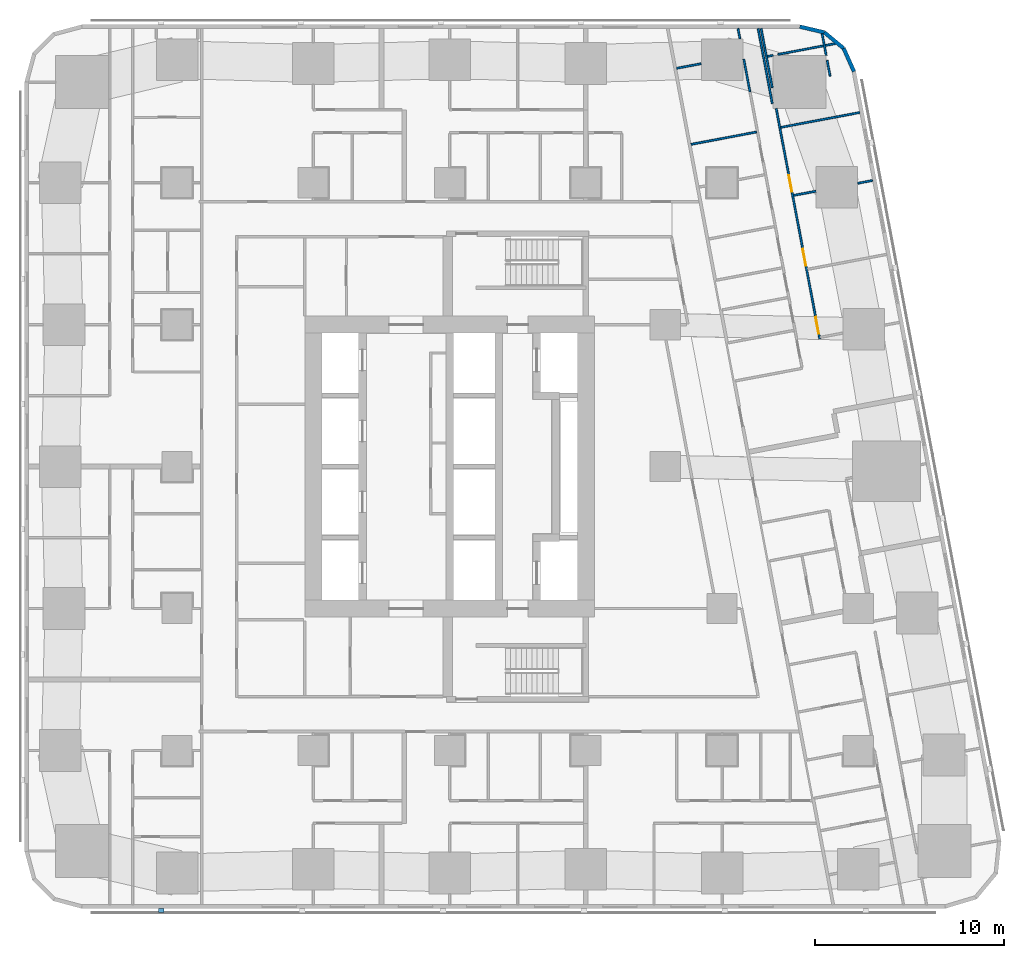
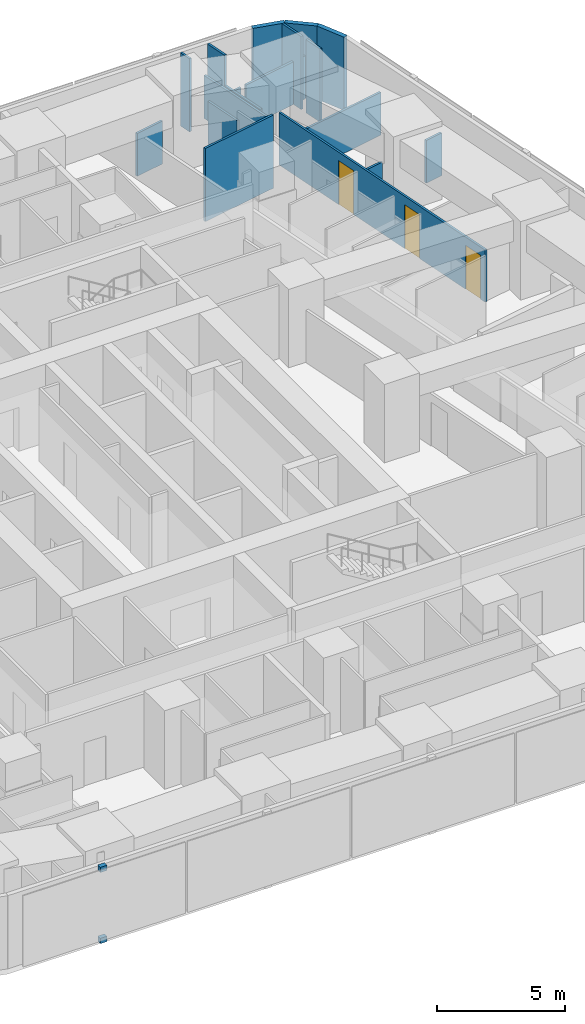
# One storey, part 12 of 17: 18 walls, 3 doors, 2 discrete accessories, 3 openings.
"""IFC4 building model written with IfcOpenShell, lengths in metres."""

import ifcopenshell
import ifcopenshell.guid

model = None  # the IFC model being written
_history = None  # IfcOwnerHistory: only IFC2X3 demands one
_inside = {}  # id of a spatial element -> (the spatial element, [elements in it])
_under = {}  # id of a project, library or spatial element -> (it, [spatial elements below it])
_declared = {}  # id of a project -> (the project, [libraries it declares])
_typed = {}  # id of a type object -> (the type object, [elements of that type])
_made_of = {}  # id of a material, layer set ... -> (it, [elements and type objects made of it])


def new_model(schema):
    """Start an empty IFC model of exactly this schema.

    Asked for "IFC4X3", IfcOpenShell would pick the latest addendum, in which some entities
    have other attributes; the version numbers below select the first issue.
    IFC2X3 requires an IfcOwnerHistory on every rooted entity: one is made here for all.
    """
    global model, _history
    if schema == "IFC4X3":
        model = ifcopenshell.file(schema_version=(4, 3, 0, 0))
    else:
        model = ifcopenshell.file(schema=schema)
    _inside.clear()
    _under.clear()
    _declared.clear()
    _typed.clear()
    _made_of.clear()
    _history = None
    if model.schema == "IFC2X3":
        org = make("IfcOrganization", Name="unknown")
        user = make(
            "IfcPersonAndOrganization",
            ThePerson=make("IfcPerson", FamilyName="unknown"),
            TheOrganization=org,
        )
        app = make(
            "IfcApplication",
            ApplicationDeveloper=org,
            Version="unknown",
            ApplicationFullName="unknown",
            ApplicationIdentifier="unknown",
        )
        _history = make(
            "IfcOwnerHistory",
            OwningUser=user,
            OwningApplication=app,
            ChangeAction="ADDED",
            CreationDate=0,
        )
    return model


def make(cls, **values):
    """One entity of the class cls with the attributes given. An attribute that is None is left unset."""
    return model.create_entity(
        cls, **{name: value for name, value in values.items() if value is not None}
    )


def rooted(cls, **values):
    """An entity with a GlobalId (a new one), such as an element, a storey or a relation."""
    return make(cls, GlobalId=ifcopenshell.guid.new(), OwnerHistory=_history, **values)


def si_unit(unit_type, name, prefix=None):
    """IfcSIUnit, for example si_unit("LENGTHUNIT", "METRE", prefix="MILLI")."""
    return make("IfcSIUnit", UnitType=unit_type, Prefix=prefix, Name=name)


def assignment(units):
    """IfcUnitAssignment: the units of a project."""
    return None if units is None else make("IfcUnitAssignment", Units=units)


def point(xyz):
    """IfcCartesianPoint."""
    return None if xyz is None else make("IfcCartesianPoint", Coordinates=xyz)


def direction(xyz):
    """IfcDirection."""
    return None if xyz is None else make("IfcDirection", DirectionRatios=xyz)


def frame(location, z_axis=None, x_axis=None):
    """IfcAxis2Placement3D, a coordinate frame: its origin and axes. An axis left out is left unset."""
    return make(
        "IfcAxis2Placement3D",
        Location=point(location),
        Axis=direction(z_axis),
        RefDirection=direction(x_axis),
    )


def frame_2d(location, x_axis=None):
    """IfcAxis2Placement2D, a coordinate frame in the plane: its origin and x axis."""
    return make(
        "IfcAxis2Placement2D", Location=point(location), RefDirection=direction(x_axis)
    )


def origin():
    """The frame at (0, 0, 0) with its axes left unset."""
    return frame((0.0, 0.0, 0.0))


def origin_2d():
    """The frame at (0, 0) in the plane with its x axis left unset."""
    return frame_2d((0.0, 0.0))


def place(relative_to, where):
    """IfcLocalPlacement: puts the frame where relative to a parent placement (None: the world)."""
    return make(
        "IfcLocalPlacement", PlacementRelTo=relative_to, RelativePlacement=where
    )


def context(
    kind, dimensions, precision=None, world=None, true_north=None, identifier=None
):
    """IfcGeometricRepresentationContext, for example the 3D "Model" context."""
    return make(
        "IfcGeometricRepresentationContext",
        ContextIdentifier=identifier,
        ContextType=kind,
        CoordinateSpaceDimension=dimensions,
        Precision=precision,
        WorldCoordinateSystem=world,
        TrueNorth=true_north,
    )


def subcontext(parent, identifier, kind, view, scale=None):
    """IfcGeometricRepresentationSubContext, for example "Body" below "Model"."""
    return make(
        "IfcGeometricRepresentationSubContext",
        ContextIdentifier=identifier,
        ContextType=kind,
        ParentContext=parent,
        TargetScale=scale,
        TargetView=view,
    )


def project(units=None, contexts=None):
    """IfcProject with its units and contexts."""
    return rooted(
        "IfcProject",
        Name="project",
        RepresentationContexts=contexts,
        UnitsInContext=assignment(units),
    )


def spatial(cls, under=None, at=None, **own):
    """A site, building, storey or space (cls), placed at a placement, below another one or the project."""
    s = rooted(cls, ObjectPlacement=at, **own)
    if under is not None:
        _under.setdefault(under.id(), (under, []))[1].append(s)
    return s


def profile(cls, at=None, kind="AREA", **sizes):
    """A parametric profile (cls). Its sizes go by their IFC names, for example OverallWidth=200.0."""
    return make(cls, ProfileType=kind, Position=at, **sizes)


def rectangle(**sizes):
    """IfcRectangleProfileDef."""
    return profile("IfcRectangleProfileDef", **sizes)


def extrude(swept, where, along, depth):
    """IfcExtrudedAreaSolid: the profile swept, set in the frame where, extruded along a direction by depth."""
    return make(
        "IfcExtrudedAreaSolid",
        SweptArea=swept,
        Position=where,
        ExtrudedDirection=direction(along),
        Depth=depth,
    )


def shape(context_of_items, identifier, shape_type, items):
    """IfcShapeRepresentation: the items that make up one representation, for example the "Body"."""
    return make(
        "IfcShapeRepresentation",
        ContextOfItems=context_of_items,
        RepresentationIdentifier=identifier,
        RepresentationType=shape_type,
        Items=items,
    )


def material(Name=None, Category=None):
    """IfcMaterial."""
    return make("IfcMaterial", Name=Name, Category=Category)


def layer(
    of_material, thickness, ventilated=None, Name=None, Category=None, Priority=None
):
    """IfcMaterialLayer: one layer of a wall or slab, of a material (None: an air gap)."""
    return make(
        "IfcMaterialLayer",
        Material=of_material,
        LayerThickness=thickness,
        IsVentilated=ventilated,
        Name=Name,
        Category=Category,
        Priority=Priority,
    )


def layer_set(layers, Name=None):
    """IfcMaterialLayerSet."""
    return make("IfcMaterialLayerSet", MaterialLayers=layers, LayerSetName=Name)


def made_of(thing, what):
    """Note that an element or type object is made of a material, layer set ...; save() writes the relation."""
    if what is not None:
        _made_of.setdefault(what.id(), (what, []))[1].append(thing)
    return thing


def type_object(cls, material=None, **own):
    """A type object (cls), such as IfcWallType, which elements share."""
    return made_of(rooted(cls, **own), material)


def element(
    cls,
    number,
    at=None,
    inside=None,
    cuts=None,
    type_object=None,
    material=None,
    context=None,
    identifier="Body",
    shape_type=None,
    held_by="IfcProductDefinitionShape",
    body=None,
    shapes=None,
    **own,
):
    """One element of the class cls, such as IfcWall. Its Tag is "e" and its number.

    at: its placement. inside: the storey or other place that contains it. cuts: it is an
    opening in that element (IfcRelVoidsElement). A single representation is given by context,
    identifier, shape_type and body (its items); several are given by shapes. held_by: the class
    of the entity that holds the representations. save() writes the other relations.
    """
    e = rooted(cls, Tag="e%d" % number, ObjectPlacement=at, **own)
    if body is not None:
        shapes = [shape(context, identifier, shape_type, body)]
    if shapes is not None:
        e.Representation = make(held_by, Representations=shapes)
    if inside is not None:
        _inside.setdefault(inside.id(), (inside, []))[1].append(e)
    if cuts is not None:
        rooted(
            "IfcRelVoidsElement", RelatingBuildingElement=cuts, RelatedOpeningElement=e
        )
    if type_object is not None:
        _typed.setdefault(type_object.id(), (type_object, []))[1].append(e)
    return made_of(e, material)


def fill(opening, filler):
    """IfcRelFillsElement: the door or window that sits in an opening."""
    return rooted(
        "IfcRelFillsElement",
        RelatingOpeningElement=opening,
        RelatedBuildingElement=filler,
    )


def aggregate(whole, parts):
    """IfcRelAggregates: a whole, such as a stair, and the parts it consists of."""
    return rooted("IfcRelAggregates", RelatingObject=whole, RelatedObjects=parts)


def save(model, path):
    """Write the relations noted so far, then the file.

    IfcRelAggregates (storeys below a building ...), IfcRelContainedInSpatialStructure (elements
    in a storey), IfcRelDefinesByType, IfcRelAssociatesMaterial and IfcRelDeclares: one each for
    every whole, place, type object, material and project.
    """
    for whole, parts in _under.values():
        aggregate(whole, parts)
    for where, things in _inside.values():
        rooted(
            "IfcRelContainedInSpatialStructure",
            RelatedElements=things,
            RelatingStructure=where,
        )
    for kind, things in _typed.values():
        rooted("IfcRelDefinesByType", RelatedObjects=things, RelatingType=kind)
    for what, things in _made_of.values():
        rooted("IfcRelAssociatesMaterial", RelatedObjects=things, RelatingMaterial=what)
    for by, libraries in _declared.values():
        rooted("IfcRelDeclares", RelatingContext=by, RelatedDefinitions=libraries)
    model.write(path)


model = new_model("IFC4")

# Units and contexts
model_context = context("Model", 3, precision=1e-05, world=origin(), true_north=direction((0.0, 1.0)))
body_context = subcontext(model_context, "Body", "Model", "MODEL_VIEW")
ifc_project = project(units=[si_unit("LENGTHUNIT", "METRE"), si_unit("AREAUNIT", "SQUARE_METRE"), si_unit("VOLUMEUNIT", "CUBIC_METRE"), si_unit("PLANEANGLEUNIT", "RADIAN"), si_unit("MASSUNIT", "GRAM", prefix="KILO")], contexts=[model_context])

# Site, building, storey
site_placement = place(None, origin())
site = spatial("IfcSite", under=ifc_project, at=site_placement, CompositionType="ELEMENT")
building_placement = place(site_placement, origin())
building = spatial("IfcBuilding", under=site, at=building_placement, Name="Sheger Commons Tower", CompositionType="ELEMENT")
storey_placement = place(building_placement, frame((0.0, 0.0, 119.14990234375)))
storey = spatial("IfcBuildingStorey", under=building, at=storey_placement, Name="L30", CompositionType="ELEMENT", Elevation=119.14990234375)

# Walls
ifc_material_1 = material(Name="Rendered concrete block masonry, dark grey", Category="masonry")
ifc_layer_1 = layer(ifc_material_1, 0.199951171875)
ifc_layer_set_1 = layer_set([ifc_layer_1], Name="FACADE WALL 200")
wall_type_1 = type_object("IfcWallType", Name="FACADE WALL 200", PredefinedType="SOLIDWALL", material=ifc_layer_set_1)
wall_1_placement = place(storey_placement, frame((42.969970703125, 43.376953125, 0.0), z_axis=(0.0, 0.0, 1.0), x_axis=(-0.406002956633, 0.913871762998, 0.0)))
element("IfcWall", 1, at=wall_1_placement, inside=storey, type_object=wall_type_1, Name="Facade wall L30", PredefinedType="SOLIDWALL", context=body_context, shape_type="SweptSolid", body=[
    extrude(rectangle(XDim=1.33740234375, YDim=0.199951171875, at=frame_2d((0.668701171875, 0.0))), origin(), (0.0, 0.0, 1.0), 3.5),
])
wall_2_placement = place(storey_placement, frame((42.427001953125, 44.59912109375, 0.0), z_axis=(0.0, 0.0, 1.0), x_axis=(-0.770091412544, 0.637933551655, 0.0)))
element("IfcWall", 2, at=wall_2_placement, inside=storey, type_object=wall_type_1, Name="Facade wall L30", PredefinedType="SOLIDWALL", context=body_context, shape_type="SweptSolid", body=[
    extrude(rectangle(XDim=1.324462890625, YDim=0.199951171875, at=frame_2d((0.662109375, 0.0))), origin(), (0.0, 0.0, 1.0), 3.5),
])
wall_3_placement = place(storey_placement, frame((41.406982421875, 45.444091796875, 0.0), z_axis=(0.0, 0.0, 1.0), x_axis=(-0.973453091607, 0.228886606077, 0.0)))
element("IfcWall", 3, at=wall_3_placement, inside=storey, type_object=wall_type_1, Name="Facade wall L30", PredefinedType="SOLIDWALL", context=body_context, shape_type="SweptSolid", body=[
    extrude(rectangle(XDim=1.33642578125, YDim=0.199951171875, at=frame_2d((0.668212890625, 0.0))), origin(), (0.0, 0.0, 1.0), 3.5),
])
ifc_material_2 = material(Name="Gypsum board on steel studs", Category="steel")
ifc_layer_2 = layer(ifc_material_2, 0.10009765625)
ifc_layer_set_2 = layer_set([ifc_layer_2], Name="PARTITION 100")
wall_type_2 = type_object("IfcWallType", Name="PARTITION 100", PredefinedType="PARTITIONING", material=ifc_layer_set_2)
wall_4_placement = place(storey_placement, frame((38.654052734375, 41.68603515625, 0.0), z_axis=(0.0, 0.0, 1.0), x_axis=(-0.185676896978, 0.982610853761, 0.0)))
element("IfcWall", 4, at=wall_4_placement, inside=storey, type_object=wall_type_2, Name="Partition L30", PredefinedType="PARTITIONING", context=body_context, shape_type="SweptSolid", body=[
    extrude(rectangle(XDim=4.033935546875, YDim=0.10009765625, at=frame_2d((2.01708984375, 0.0))), origin(), (0.0, 0.0, 1.0), 2.050048828125),
])
wall_5_placement = place(storey_placement, frame((41.287109375, 45.3701171875, 0.0), z_axis=(0.0, 0.0, 1.0), x_axis=(0.185121628323, -0.982715616405, 0.0)))
element("IfcWall", 5, at=wall_5_placement, inside=storey, type_object=wall_type_2, Name="Partition L30", PredefinedType="PARTITIONING", context=body_context, shape_type="SweptSolid", body=[
    extrude(rectangle(XDim=1.14990234375, YDim=0.10009765625, at=frame_2d((0.574951171875, 0.0))), origin(), (0.0, 0.0, 1.0), 3.5),
])
wall_6_placement = place(storey_placement, frame((41.551025390625, 43.968994140625, 0.0), z_axis=(0.0, 0.0, 1.0), x_axis=(0.185884171512, -0.982571663942, 0.0)))
element("IfcWall", 6, at=wall_6_placement, inside=storey, type_object=wall_type_2, Name="Partition L30", PredefinedType="PARTITIONING", context=body_context, shape_type="SweptSolid", body=[
    extrude(rectangle(XDim=0.849853515625, YDim=0.10009765625, at=frame_2d((0.4248046875, 0.0))), origin(), (0.0, 0.0, 1.0), 3.5),
])
wall_7_placement = place(storey_placement, frame((38.06298828125, 45.64990234375, 0.0), z_axis=(0.0, 0.0, 1.0), x_axis=(0.185677287841, -0.982610779902, 0.0)))
element("IfcWall", 7, at=wall_7_placement, inside=storey, type_object=wall_type_2, Name="Partition L30", PredefinedType="PARTITIONING", context=body_context, shape_type="SweptSolid", body=[
    extrude(rectangle(XDim=1.0400390625, YDim=0.10009765625, at=frame_2d((0.52001953125, 0.0))), origin(), (0.0, 0.0, 1.0), 3.5),
])
wall_8_placement = place(storey_placement, frame((38.256103515625, 44.6279296875, 0.0), z_axis=(0.0, 0.0, 1.0), x_axis=(0.185757524649, -0.982595614704, 0.0)))
element("IfcWall", 8, at=wall_8_placement, inside=storey, type_object=wall_type_2, Name="Partition L30", PredefinedType="PARTITIONING", context=body_context, shape_type="SweptSolid", body=[
    extrude(rectangle(XDim=2.136962890625, YDim=0.10009765625, at=frame_2d((1.068359375, 0.0))), origin(), (0.0, 0.0, 1.0), 2.050048828125),
])

# Wall, openings, doors
wall_9_placement = place(storey_placement, frame((38.862060546875, 41.419921875, 0.0), z_axis=(0.0, 0.0, 1.0), x_axis=(0.185550092293, -0.982634806655, 0.0)))
wall_9 = element("IfcWall", 9, at=wall_9_placement, inside=storey, type_object=wall_type_2, Name="Partition L30", PredefinedType="PARTITIONING", context=body_context, shape_type="SweptSolid", body=[
    extrude(rectangle(XDim=12.384033203125, YDim=0.10009765625, at=frame_2d((6.19189453125, 0.0))), origin(), (0.0, 0.0, 1.0), 2.5),
])
opening_1_placement = place(wall_9_placement, frame((11.2119140625, 0.0, 0.0)))
opening_1 = element("IfcOpeningElement", 10, at=opening_1_placement, cuts=wall_9, Name="Opening D2", PredefinedType="OPENING", context=body_context, shape_type="SweptSolid", body=[
    extrude(rectangle(XDim=0.89990234375, YDim=2.10009765625, at=frame_2d((0.449951171875, 1.050048828125))), frame((0.0, 0.06005859375, 0.0), z_axis=(0.0, -1.0, 0.0), x_axis=(1.0, 0.0, 0.0)), (0.0, 0.0, 1.0), 0.1201171875),
])
opening_2_placement = place(wall_9_placement, frame((7.554931640625, 0.0, 0.0)))
opening_2 = element("IfcOpeningElement", 11, at=opening_2_placement, cuts=wall_9, Name="Opening D2", PredefinedType="OPENING", context=body_context, shape_type="SweptSolid", body=[
    extrude(rectangle(XDim=0.89990234375, YDim=2.10009765625, at=frame_2d((0.449951171875, 1.050048828125))), frame((0.0, 0.06005859375, 0.0), z_axis=(0.0, -1.0, 0.0), x_axis=(1.0, 0.0, 0.0)), (0.0, 0.0, 1.0), 0.1201171875),
])
opening_3_placement = place(wall_9_placement, frame((3.5791015625, 0.0, 0.0)))
opening_3 = element("IfcOpeningElement", 12, at=opening_3_placement, cuts=wall_9, Name="Opening D2", PredefinedType="OPENING", context=body_context, shape_type="SweptSolid", body=[
    extrude(rectangle(XDim=0.89990234375, YDim=2.10009765625, at=frame_2d((0.449951171875, 1.050048828125))), frame((0.0, 0.06005859375, 0.0), z_axis=(0.0, -1.0, 0.0), x_axis=(1.0, 0.0, 0.0)), (0.0, 0.0, 1.0), 0.1201171875),
])
ifc_material_3 = material(Name="Timber door set", Category="wood")
door_type = type_object("IfcDoorType", Name="INTERNAL DOOR 900x2100", OperationType="NOTDEFINED", PredefinedType="DOOR", material=ifc_material_3)
door_1_placement = place(opening_1_placement, origin())
door_1 = element("IfcDoor", 13, at=door_1_placement, inside=storey, type_object=door_type, Name="Main bedroom door", OperationType="SINGLE_SWING_RIGHT", OverallHeight=2.10009765625, OverallWidth=0.89990234375, PredefinedType="DOOR", context=body_context, shape_type="SweptSolid", body=[
    extrude(rectangle(XDim=0.89990234375, YDim=2.10009765625, at=frame_2d((0.449951171875, 1.050048828125))), frame((0.0, 0.02490234375, 0.0), z_axis=(0.0, -1.0, 0.0), x_axis=(1.0, 0.0, 0.0)), (0.0, 0.0, 1.0), 0.050048828125),
])
fill(opening_1, door_1)
door_2_placement = place(opening_2_placement, origin())
door_2 = element("IfcDoor", 14, at=door_2_placement, inside=storey, type_object=door_type, Name="Bedroom 2 door", OperationType="SINGLE_SWING_RIGHT", OverallHeight=2.10009765625, OverallWidth=0.89990234375, PredefinedType="DOOR", context=body_context, shape_type="SweptSolid", body=[
    extrude(rectangle(XDim=0.89990234375, YDim=2.10009765625, at=frame_2d((0.449951171875, 1.050048828125))), frame((0.0, 0.02490234375, 0.0), z_axis=(0.0, -1.0, 0.0), x_axis=(1.0, 0.0, 0.0)), (0.0, 0.0, 1.0), 0.050048828125),
])
fill(opening_2, door_2)
door_3_placement = place(opening_3_placement, origin())
door_3 = element("IfcDoor", 15, at=door_3_placement, inside=storey, type_object=door_type, Name="Bedroom 3 door", OperationType="SINGLE_SWING_RIGHT", OverallHeight=2.10009765625, OverallWidth=0.89990234375, PredefinedType="DOOR", context=body_context, shape_type="SweptSolid", body=[
    extrude(rectangle(XDim=0.89990234375, YDim=2.10009765625, at=frame_2d((0.449951171875, 1.050048828125))), frame((0.0, 0.02490234375, 0.0), z_axis=(0.0, -1.0, 0.0), x_axis=(1.0, 0.0, 0.0)), (0.0, 0.0, 1.0), 0.050048828125),
])
fill(opening_3, door_3)

# Walls
wall_10_placement = place(storey_placement, frame((36.842041015625, 45.64990234375, 0.0), z_axis=(0.0, 0.0, 1.0), x_axis=(0.185764109712, -0.98259436979, 0.0)))
element("IfcWall", 16, at=wall_10_placement, inside=storey, type_object=wall_type_2, Name="Partition L30", PredefinedType="PARTITIONING", context=body_context, shape_type="SweptSolid", body=[
    extrude(rectangle(XDim=0.54931640625, YDim=0.10009765625, at=frame_2d((0.274658203125, 0.0))), origin(), (0.0, 0.0, 1.0), 3.5),
])
wall_11_placement = place(storey_placement, frame((37.14892578125, 44.02294921875, 0.0), z_axis=(0.0, 0.0, 1.0), x_axis=(0.185741922314, -0.982598564163, 0.0)))
element("IfcWall", 17, at=wall_11_placement, inside=storey, type_object=wall_type_2, Name="Partition L30", PredefinedType="PARTITIONING", context=body_context, shape_type="SweptSolid", body=[
    extrude(rectangle(XDim=1.744140625, YDim=0.10009765625, at=frame_2d((0.8720703125, 0.0))), origin(), (0.0, 0.0, 1.0), 2.050048828125),
])
wall_12_placement = place(storey_placement, frame((41.968017578125, 44.85009765625, 0.0), z_axis=(0.0, 0.0, 1.0), x_axis=(-0.982566714195, -0.185910333644, 0.0)))
element("IfcWall", 18, at=wall_12_placement, inside=storey, type_object=wall_type_2, Name="Partition L30", PredefinedType="PARTITIONING", context=body_context, shape_type="SweptSolid", body=[
    extrude(rectangle(XDim=3.071533203125, YDim=0.10009765625, at=frame_2d((1.53564453125, 0.0))), origin(), (0.0, 0.0, 1.0), 2.050048828125),
])
wall_13_placement = place(storey_placement, frame((38.69189453125, 44.22998046875, 0.0), z_axis=(0.0, 0.0, 1.0), x_axis=(-0.982944840311, -0.183900627803, 0.0)))
element("IfcWall", 19, at=wall_13_placement, inside=storey, type_object=wall_type_2, Name="Partition L30", PredefinedType="PARTITIONING", context=body_context, shape_type="SweptSolid", body=[
    extrude(rectangle(XDim=0.303955078125, YDim=0.10009765625, at=frame_2d((0.15185546875, 0.0))), origin(), (0.0, 0.0, 1.0), 2.050048828125),
])
wall_14_placement = place(storey_placement, frame((43.277099609375, 41.2119140625, 0.0), z_axis=(0.0, 0.0, 1.0), x_axis=(-0.982665405803, -0.185387972203, 0.0)))
element("IfcWall", 20, at=wall_14_placement, inside=storey, type_object=wall_type_2, Name="Partition L30", PredefinedType="PARTITIONING", context=body_context, shape_type="SweptSolid", body=[
    extrude(rectangle(XDim=4.249755859375, YDim=0.10009765625, at=frame_2d((2.125, 0.0))), origin(), (0.0, 0.0, 1.0), 2.050048828125),
])
wall_15_placement = place(storey_placement, frame((43.955078125, 37.6201171875, 0.0), z_axis=(0.0, 0.0, 1.0), x_axis=(-0.98247004097, -0.186420542316, 0.0)))
element("IfcWall", 21, at=wall_15_placement, inside=storey, type_object=wall_type_2, Name="Partition L30", PredefinedType="PARTITIONING", context=body_context, shape_type="SweptSolid", body=[
    extrude(rectangle(XDim=0.794921875, YDim=0.10009765625, at=frame_2d((0.3974609375, 0.0))), origin(), (0.0, 0.0, 1.0), 2.050048828125),
])
wall_16_placement = place(storey_placement, frame((40.9541015625, 37.052978515625, 0.0), z_axis=(0.0, 0.0, 1.0), x_axis=(-0.982600492424, -0.185731721275, 0.0)))
element("IfcWall", 22, at=wall_16_placement, inside=storey, type_object=wall_type_2, Name="Partition L30", PredefinedType="PARTITIONING", context=body_context, shape_type="SweptSolid", body=[
    extrude(rectangle(XDim=1.19482421875, YDim=0.10009765625, at=frame_2d((0.597412109375, 0.0))), origin(), (0.0, 0.0, 1.0), 2.050048828125),
])
wall_17_placement = place(storey_placement, frame((34.889892578125, 43.7900390625, 0.0), z_axis=(0.0, 0.0, 1.0), x_axis=(-0.982696831521, -0.185221319826, 0.0)))
element("IfcWall", 23, at=wall_17_placement, inside=storey, type_object=wall_type_2, Name="Partition L30", PredefinedType="PARTITIONING", context=body_context, shape_type="SweptSolid", body=[
    extrude(rectangle(XDim=1.3115234375, YDim=0.10009765625, at=frame_2d((0.65576171875, 0.0))), origin(), (0.0, 0.0, 1.0), 2.050048828125),
])
wall_18_placement = place(storey_placement, frame((37.823974609375, 40.181884765625, 0.0), z_axis=(0.0, 0.0, 1.0), x_axis=(-0.982648794755, -0.185475998897, 0.0)))
element("IfcWall", 24, at=wall_18_placement, inside=storey, type_object=wall_type_2, Name="Partition L30", PredefinedType="PARTITIONING", context=body_context, shape_type="SweptSolid", body=[
    extrude(rectangle(XDim=3.525146484375, YDim=0.10009765625, at=frame_2d((1.7626953125, 0.0))), origin(), (0.0, 0.0, 1.0), 3.5),
])

# Discrete accessories
ifc_material_4 = material(Name="Black painted steel bracket", Category="steel")
discrete_accessory_type = type_object("IfcDiscreteAccessoryType", Name="SCREEN BRACKET 300x200x250", PredefinedType="BRACKET", material=ifc_material_4)
for number, where, z_axis, x_axis, name in (
    (25, (6.37109375, -0.949951171875, -0.099853515625), (0.0, 0.0, 1.0), (1.0, 0.0, 0.0), "Solar screen foot bracket"),
    (26, (6.37109375, -0.949951171875, 3.300048828125), (0.0, 0.0, 1.0), (1.0, 0.0, 0.0), "Solar screen head bracket"),
):
    element("IfcDiscreteAccessory", number, at=place(storey_placement, frame(where, z_axis=z_axis, x_axis=x_axis)), inside=storey, type_object=discrete_accessory_type, Name=name, PredefinedType="BRACKET", context=body_context, shape_type="SweptSolid", body=[
        extrude(rectangle(XDim=0.300048828125, YDim=0.199951171875, at=origin_2d()), origin(), (0.0, 0.0, 1.0), 0.25),
    ])

save(model, "model.ifc")
